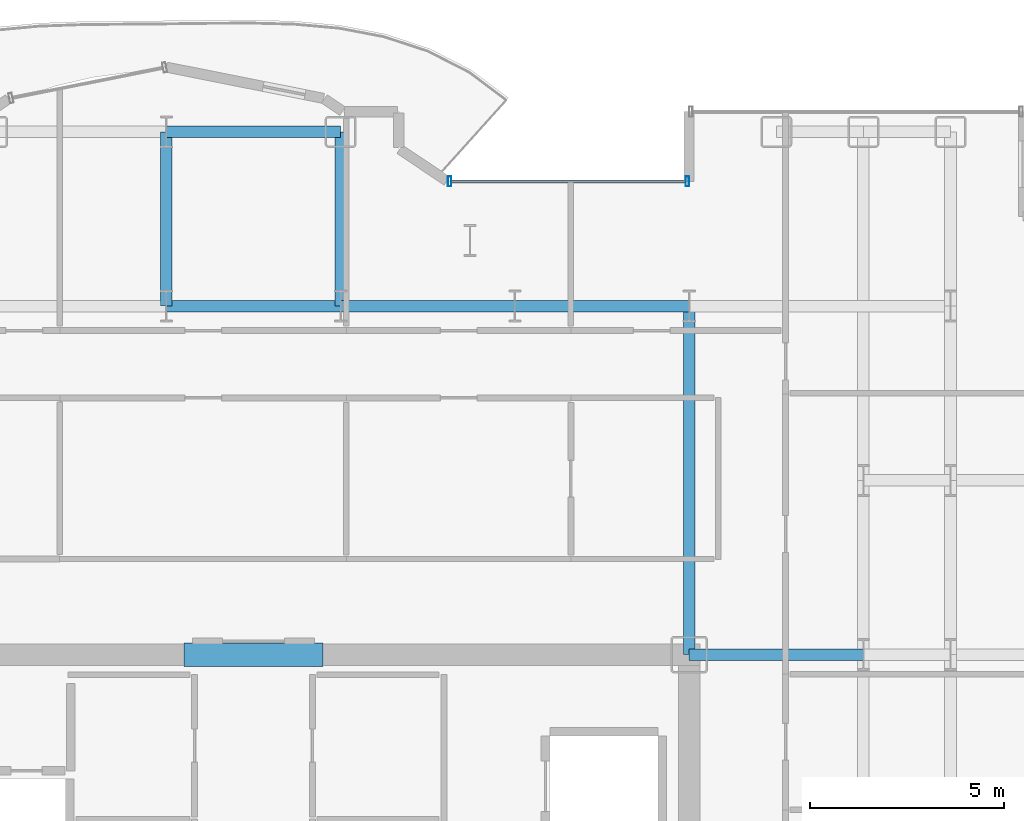
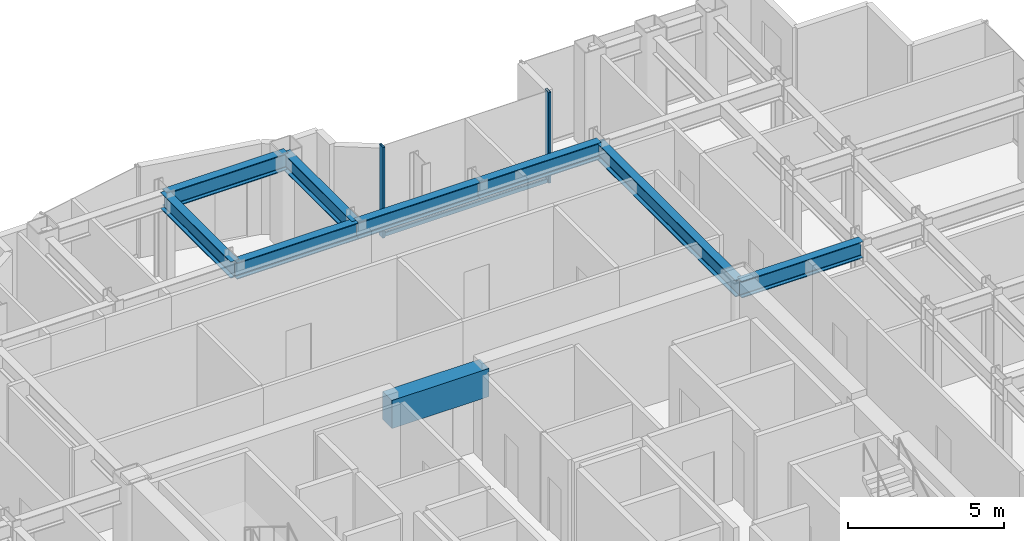
# One storey, part 12 of 23: 9 beams, 3 members, 1 element without a shape of its own.
"""IFC4 building model written with IfcOpenShell, lengths in metres."""

from ifc_helpers import new_model, si_unit, direction, frame, origin, origin_2d, place, context, subcontext, project, spatial, rectangle, hollow_rectangle, i_section, extrude, source, transform, mapped, material, layer, layer_set, material_profile, profile_set, type_object, element, aggregate, save


model = new_model("IFC4")

# Units and contexts
model_context = context("Model", 3, precision=1e-05, world=origin(), true_north=direction((0.0, 1.0)))
body_context = subcontext(model_context, "Body", "Model", "MODEL_VIEW")
ifc_project = project(units=[si_unit("LENGTHUNIT", "METRE"), si_unit("AREAUNIT", "SQUARE_METRE"), si_unit("VOLUMEUNIT", "CUBIC_METRE"), si_unit("PLANEANGLEUNIT", "RADIAN"), si_unit("MASSUNIT", "GRAM", prefix="KILO")], contexts=[model_context])

# Site, building, storey
site_placement = place(None, origin())
site = spatial("IfcSite", under=ifc_project, at=site_placement, CompositionType="ELEMENT")
building_placement = place(site_placement, origin())
building = spatial("IfcBuilding", under=site, at=building_placement, Name="Nefas-Gora Pilgrimage Tower", CompositionType="ELEMENT")
storey_placement = place(building_placement, frame((0.0, 0.0, 156.39990234375)))
storey = spatial("IfcBuildingStorey", under=building, at=storey_placement, Name="L38", CompositionType="ELEMENT", Elevation=156.39990234375)

# Beams
ifc_material_1 = material(Name="Concrete C60/75", Category="concrete")
ifc_material_profile_1 = material_profile(ifc_material_1, rectangle(XDim=0.60009765625, YDim=1.10009765625, at=origin_2d()), Name="RC 600x1100")
ifc_profile_set_1 = profile_set([ifc_material_profile_1], Name="Concrete C60/75")
beam_type_1 = type_object("IfcBeamType", Name="BM-LIN-RC1100", PredefinedType="LINTEL", material=ifc_profile_set_1)
shared_shape_1 = source(origin(), body_context, "Body", "SweptSolid", [
    extrude(rectangle(XDim=0.60009765625, YDim=1.10009765625, at=origin_2d()), origin(), (0.0, 0.0, 1.0), 3.60009765625),
])
beam_1_placement = place(storey_placement, frame((-1.800048828125, 9.0, 3.0), z_axis=(1.0, 0.0, 0.0), x_axis=(0.0, 1.0, 0.0)))
element("IfcBeam", 1, at=beam_1_placement, inside=storey, type_object=beam_type_1, Name="L38 Core Coupling Lintel Beam N", PredefinedType="LINTEL", context=body_context, shape_type="MappedRepresentation", body=[
    mapped(shared_shape_1, transform((0.0, 0.0, 0.0), x_axis=(1.0, 0.0, 0.0), y_axis=(0.0, 1.0, 0.0), z_axis=(0.0, 0.0, 1.0), scale=1.0)),
])
ifc_material_2 = material(Name="Steel S355", Category="steel")
ifc_material_profile_2 = material_profile(ifc_material_2, i_section(OverallWidth=0.300048828125, OverallDepth=0.64990234375, WebThickness=0.01611328125, FlangeThickness=0.031005859375, FilletRadius=0.027099609375, at=origin_2d()), Name="HEB 650")
ifc_profile_set_2 = profile_set([ifc_material_profile_2], Name="Steel S355")
beam_type_2 = type_object("IfcBeamType", Name="BM-GIR-HEB650", PredefinedType="BEAM", material=ifc_profile_set_2)
shared_shape_2 = source(origin(), body_context, "Body", "SweptSolid", [
    extrude(i_section(OverallWidth=0.300048828125, OverallDepth=0.64990234375, WebThickness=0.01611328125, FlangeThickness=0.031005859375, FilletRadius=0.027099609375, at=origin_2d()), origin(), (0.0, 0.0, 1.0), 9.0),
])
beam_2_placement = place(storey_placement, frame((11.25, 9.0, 3.22509765625), z_axis=(0.0, 1.0, 0.0), x_axis=(-1.0, 0.0, 0.0)))
element("IfcBeam", 2, at=beam_2_placement, inside=storey, type_object=beam_type_2, Name="L38 G-03 beam", PredefinedType="BEAM", context=body_context, shape_type="MappedRepresentation", body=[
    mapped(shared_shape_2, transform((0.0, 0.0, 0.0), x_axis=(1.0, 0.0, 0.0), y_axis=(0.0, 1.0, 0.0), z_axis=(0.0, 0.0, 1.0), scale=1.0)),
])
shared_shape_3 = source(origin(), body_context, "Body", "SweptSolid", [
    extrude(i_section(OverallWidth=0.300048828125, OverallDepth=0.64990234375, WebThickness=0.01611328125, FlangeThickness=0.031005859375, FilletRadius=0.027099609375, at=origin_2d()), origin(), (0.0, 0.0, 1.0), 4.5),
])
for number, where, z_axis, x_axis, name in (
    (3, (-2.25, 18.0, 3.22509765625), (0.0, 1.0, 0.0), (-1.0, 0.0, 0.0), "L38 G-03 beam"),
    (4, (-2.25, 18.0, 3.22509765625), (1.0, 0.0, 0.0), (0.0, 1.0, 0.0), "L38 G-03 beam"),
    (5, (-2.25, 22.5, 3.22509765625), (1.0, 0.0, 0.0), (0.0, 1.0, 0.0), "L38 G-03 beam"),
    (6, (2.25, 18.0, 3.22509765625), (0.0, 1.0, 0.0), (-1.0, 0.0, 0.0), "L38 G-03 beam"),
    (7, (2.25, 18.0, 3.22509765625), (1.0, 0.0, 0.0), (0.0, 1.0, 0.0), "L38 G-03 beam"),
    (8, (6.75, 18.0, 3.22509765625), (1.0, 0.0, 0.0), (0.0, 1.0, 0.0), "L38 G-03 beam"),
    (9, (11.25, 9.0, 3.22509765625), (1.0, 0.0, 0.0), (0.0, 1.0, 0.0), "L38 G-03 beam"),
):
    element("IfcBeam", number, at=place(storey_placement, frame(where, z_axis=z_axis, x_axis=x_axis)), inside=storey, type_object=beam_type_2, Name=name, PredefinedType="BEAM", context=body_context, shape_type="MappedRepresentation", body=[
        mapped(shared_shape_3, transform((0.0, 0.0, 0.0), x_axis=(1.0, 0.0, 0.0), y_axis=(0.0, 1.0, 0.0), z_axis=(0.0, 0.0, 1.0), scale=1.0)),
    ])

# Curtain wall, members
ifc_material_3 = material(Name="Dark ceramic-fritted solar-control aluminium-glass curtain wall", Category="aluminium")
ifc_layer = layer(ifc_material_3, 0.219970703125)
ifc_layer_set = layer_set([ifc_layer], Name="Dark ceramic-fritted solar-control aluminium-glass curtain wall")
curtain_wall_type = type_object("IfcCurtainWallType", Name="CW-SYS-5", PredefinedType="NOTDEFINED", material=ifc_layer_set)
curtain_wall_placement = place(storey_placement, origin())
curtain_wall = element("IfcCurtainWall", 10, at=curtain_wall_placement, inside=storey, type_object=curtain_wall_type, Name="L38 Unitised Curtain Wall CW5", PredefinedType="NOTDEFINED")
ifc_material_4 = material(Name="Anodised architectural aluminium", Category="aluminium")
ifc_material_profile_3 = material_profile(ifc_material_4, hollow_rectangle(XDim=0.090087890625, YDim=0.260009765625, WallThickness=0.006103515625, InnerFilletRadius=0.006103515625, OuterFilletRadius=0.011962890625, at=origin_2d()), Name="ALU MULLION 90x260")
ifc_profile_set_3 = profile_set([ifc_material_profile_3], Name="Anodised architectural aluminium")
member_type_1 = type_object("IfcMemberType", Name="CWM-MUL-5", PredefinedType="MULLION", material=ifc_profile_set_3)
shared_shape_4 = source(origin(), body_context, "Body", "SweptSolid", [
    extrude(hollow_rectangle(XDim=0.090087890625, YDim=0.260009765625, WallThickness=0.006103515625, InnerFilletRadius=0.006103515625, OuterFilletRadius=0.011962890625, at=origin_2d()), origin(), (0.0, 0.0, 1.0), 3.550048828125),
])
member_1_placement = place(storey_placement, frame((11.205078125, 21.219970703125, 0.0), z_axis=(0.0, 0.0, 1.0), x_axis=(-1.0, 0.0, 0.0)))
member_1 = element("IfcMember", 11, at=member_1_placement, type_object=member_type_1, Name="CW5 Mullion 1", PredefinedType="MULLION", context=body_context, shape_type="MappedRepresentation", body=[
    mapped(shared_shape_4, transform((0.0, 0.0, 0.0), x_axis=(1.0, 0.0, 0.0), y_axis=(0.0, 1.0, 0.0), z_axis=(0.0, 0.0, 1.0), scale=1.0)),
])
member_2_placement = place(storey_placement, frame((5.06298828125, 21.219970703125, 0.0), z_axis=(0.0, 0.0, 1.0), x_axis=(-1.0, 0.0, 0.0)))
member_2 = element("IfcMember", 12, at=member_2_placement, type_object=member_type_1, Name="CW5 Mullion 2", PredefinedType="MULLION", context=body_context, shape_type="MappedRepresentation", body=[
    mapped(shared_shape_4, transform((0.0, 0.0, 0.0), x_axis=(1.0, 0.0, 0.0), y_axis=(0.0, 1.0, 0.0), z_axis=(0.0, 0.0, 1.0), scale=1.0)),
])
ifc_material_profile_4 = material_profile(ifc_material_4, hollow_rectangle(XDim=0.080078125, YDim=0.159912109375, WallThickness=0.00439453125, InnerFilletRadius=0.00439453125, OuterFilletRadius=0.009033203125, at=origin_2d()), Name="ALU TRANSOM 80x160")
ifc_profile_set_4 = profile_set([ifc_material_profile_4], Name="Anodised architectural aluminium")
member_type_2 = type_object("IfcMemberType", Name="CWM-TRN-5", PredefinedType="USERDEFINED", material=ifc_profile_set_4)
shared_shape_5 = source(origin(), body_context, "Body", "SweptSolid", [
    extrude(hollow_rectangle(XDim=0.080078125, YDim=0.159912109375, WallThickness=0.00439453125, InnerFilletRadius=0.00439453125, OuterFilletRadius=0.009033203125, at=origin_2d()), origin(), (0.0, 0.0, 1.0), 6.052001953125),
])
member_3_placement = place(storey_placement, frame((11.159912109375, 21.219970703125, 0.050048828125), z_axis=(-1.0, 0.0, 0.0), x_axis=(0.0, -1.0, 0.0)))
member_3 = element("IfcMember", 13, at=member_3_placement, type_object=member_type_2, Name="CW5 Spandrel Transom", ObjectType="TRANSOM", PredefinedType="USERDEFINED", context=body_context, shape_type="MappedRepresentation", body=[
    mapped(shared_shape_5, transform((0.0, 0.0, 0.0), x_axis=(1.0, 0.0, 0.0), y_axis=(0.0, 1.0, 0.0), z_axis=(0.0, 0.0, 1.0), scale=1.0)),
])
aggregate(curtain_wall, [member_1, member_2, member_3])

save(model, "model.ifc")
